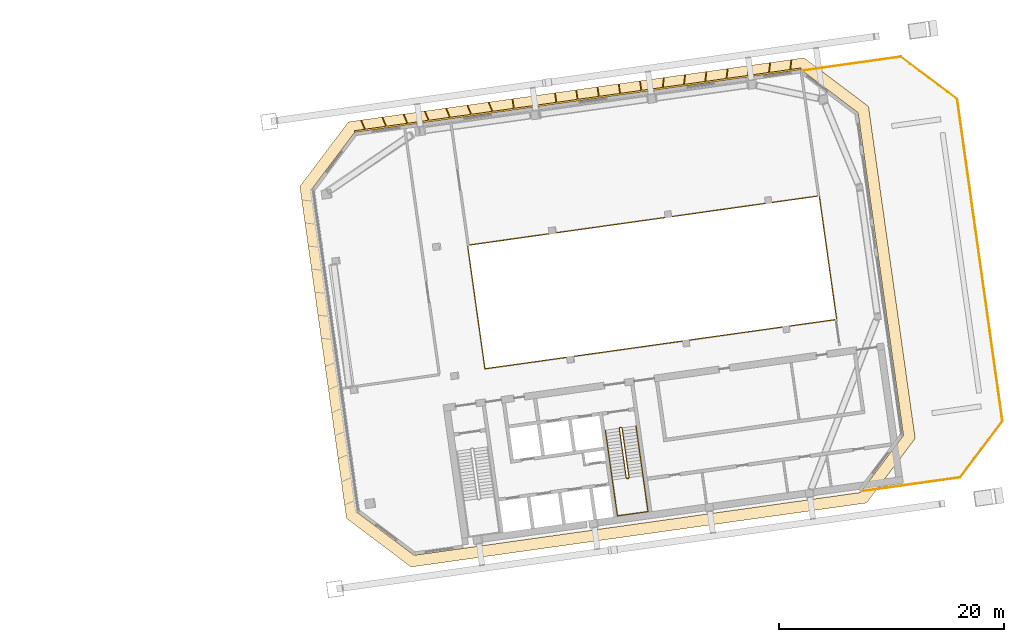
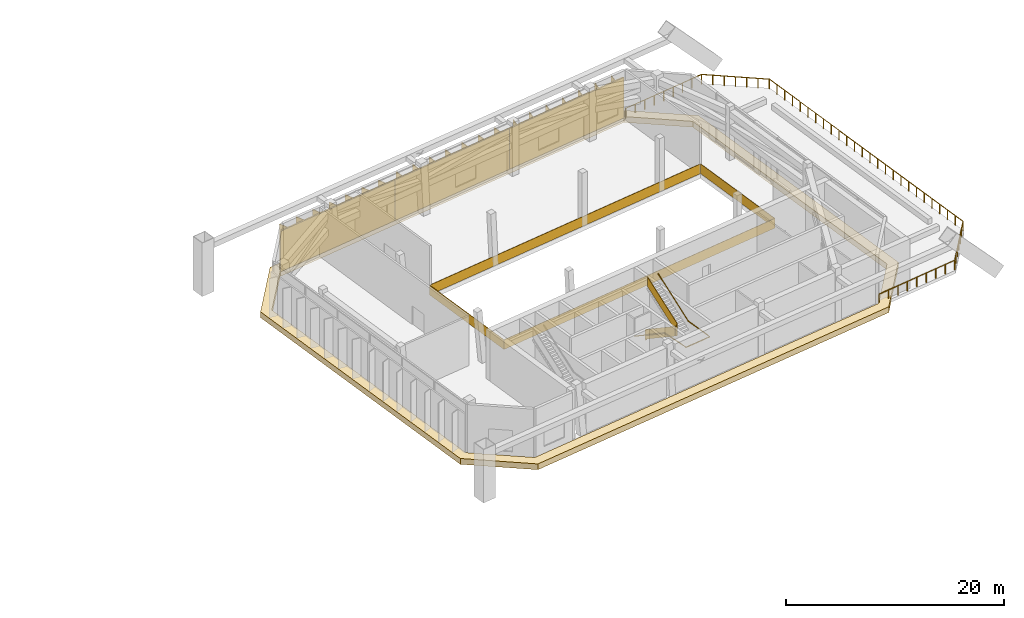
# One storey, part 29 of 29: 4 railings, 3 shading devices, 1 covering.
"""IFC4 building model written with IfcOpenShell, lengths in metres."""

import ifcopenshell
import ifcopenshell.guid

model = None  # the IFC model being written
_history = None  # IfcOwnerHistory: only IFC2X3 demands one
_inside = {}  # id of a spatial element -> (the spatial element, [elements in it])
_under = {}  # id of a project, library or spatial element -> (it, [spatial elements below it])
_declared = {}  # id of a project -> (the project, [libraries it declares])
_typed = {}  # id of a type object -> (the type object, [elements of that type])
_made_of = {}  # id of a material, layer set ... -> (it, [elements and type objects made of it])


def new_model(schema):
    """Start an empty IFC model of exactly this schema.

    Asked for "IFC4X3", IfcOpenShell would pick the latest addendum, in which some entities
    have other attributes; the version numbers below select the first issue.
    IFC2X3 requires an IfcOwnerHistory on every rooted entity: one is made here for all.
    """
    global model, _history
    if schema == "IFC4X3":
        model = ifcopenshell.file(schema_version=(4, 3, 0, 0))
    else:
        model = ifcopenshell.file(schema=schema)
    _inside.clear()
    _under.clear()
    _declared.clear()
    _typed.clear()
    _made_of.clear()
    _history = None
    if model.schema == "IFC2X3":
        org = make("IfcOrganization", Name="unknown")
        user = make(
            "IfcPersonAndOrganization",
            ThePerson=make("IfcPerson", FamilyName="unknown"),
            TheOrganization=org,
        )
        app = make(
            "IfcApplication",
            ApplicationDeveloper=org,
            Version="unknown",
            ApplicationFullName="unknown",
            ApplicationIdentifier="unknown",
        )
        _history = make(
            "IfcOwnerHistory",
            OwningUser=user,
            OwningApplication=app,
            ChangeAction="ADDED",
            CreationDate=0,
        )
    return model


def make(cls, **values):
    """One entity of the class cls with the attributes given. An attribute that is None is left unset."""
    return model.create_entity(
        cls, **{name: value for name, value in values.items() if value is not None}
    )


def rooted(cls, **values):
    """An entity with a GlobalId (a new one), such as an element, a storey or a relation."""
    return make(cls, GlobalId=ifcopenshell.guid.new(), OwnerHistory=_history, **values)


def si_unit(unit_type, name, prefix=None):
    """IfcSIUnit, for example si_unit("LENGTHUNIT", "METRE", prefix="MILLI")."""
    return make("IfcSIUnit", UnitType=unit_type, Prefix=prefix, Name=name)


def assignment(units):
    """IfcUnitAssignment: the units of a project."""
    return None if units is None else make("IfcUnitAssignment", Units=units)


def point(xyz):
    """IfcCartesianPoint."""
    return None if xyz is None else make("IfcCartesianPoint", Coordinates=xyz)


def direction(xyz):
    """IfcDirection."""
    return None if xyz is None else make("IfcDirection", DirectionRatios=xyz)


def frame(location, z_axis=None, x_axis=None):
    """IfcAxis2Placement3D, a coordinate frame: its origin and axes. An axis left out is left unset."""
    return make(
        "IfcAxis2Placement3D",
        Location=point(location),
        Axis=direction(z_axis),
        RefDirection=direction(x_axis),
    )


def frame_2d(location, x_axis=None):
    """IfcAxis2Placement2D, a coordinate frame in the plane: its origin and x axis."""
    return make(
        "IfcAxis2Placement2D", Location=point(location), RefDirection=direction(x_axis)
    )


def origin():
    """The frame at (0, 0, 0) with its axes left unset."""
    return frame((0.0, 0.0, 0.0))


def origin_2d():
    """The frame at (0, 0) in the plane with its x axis left unset."""
    return frame_2d((0.0, 0.0))


def place(relative_to, where):
    """IfcLocalPlacement: puts the frame where relative to a parent placement (None: the world)."""
    return make(
        "IfcLocalPlacement", PlacementRelTo=relative_to, RelativePlacement=where
    )


def context(
    kind, dimensions, precision=None, world=None, true_north=None, identifier=None
):
    """IfcGeometricRepresentationContext, for example the 3D "Model" context."""
    return make(
        "IfcGeometricRepresentationContext",
        ContextIdentifier=identifier,
        ContextType=kind,
        CoordinateSpaceDimension=dimensions,
        Precision=precision,
        WorldCoordinateSystem=world,
        TrueNorth=true_north,
    )


def subcontext(parent, identifier, kind, view, scale=None):
    """IfcGeometricRepresentationSubContext, for example "Body" below "Model"."""
    return make(
        "IfcGeometricRepresentationSubContext",
        ContextIdentifier=identifier,
        ContextType=kind,
        ParentContext=parent,
        TargetScale=scale,
        TargetView=view,
    )


def project(units=None, contexts=None):
    """IfcProject with its units and contexts."""
    return rooted(
        "IfcProject",
        Name="project",
        RepresentationContexts=contexts,
        UnitsInContext=assignment(units),
    )


def spatial(cls, under=None, at=None, **own):
    """A site, building, storey or space (cls), placed at a placement, below another one or the project."""
    s = rooted(cls, ObjectPlacement=at, **own)
    if under is not None:
        _under.setdefault(under.id(), (under, []))[1].append(s)
    return s


def polyline(points):
    """IfcPolyline through the points."""
    return make("IfcPolyline", Points=[point(p) for p in points])


def profile(cls, at=None, kind="AREA", **sizes):
    """A parametric profile (cls). Its sizes go by their IFC names, for example OverallWidth=200.0."""
    return make(cls, ProfileType=kind, Position=at, **sizes)


def rectangle(**sizes):
    """IfcRectangleProfileDef."""
    return profile("IfcRectangleProfileDef", **sizes)


def outline(outer, holes=None, kind="AREA"):
    """IfcArbitraryClosedProfileDef: a profile drawn as a closed curve; with holes, ...WithVoids."""
    if holes is None:
        return make("IfcArbitraryClosedProfileDef", ProfileType=kind, OuterCurve=outer)
    return make(
        "IfcArbitraryProfileDefWithVoids",
        ProfileType=kind,
        OuterCurve=outer,
        InnerCurves=holes,
    )


def extrude(swept, where, along, depth):
    """IfcExtrudedAreaSolid: the profile swept, set in the frame where, extruded along a direction by depth."""
    return make(
        "IfcExtrudedAreaSolid",
        SweptArea=swept,
        Position=where,
        ExtrudedDirection=direction(along),
        Depth=depth,
    )


def shape(context_of_items, identifier, shape_type, items):
    """IfcShapeRepresentation: the items that make up one representation, for example the "Body"."""
    return make(
        "IfcShapeRepresentation",
        ContextOfItems=context_of_items,
        RepresentationIdentifier=identifier,
        RepresentationType=shape_type,
        Items=items,
    )


def material(Name=None, Category=None):
    """IfcMaterial."""
    return make("IfcMaterial", Name=Name, Category=Category)


def layer(
    of_material, thickness, ventilated=None, Name=None, Category=None, Priority=None
):
    """IfcMaterialLayer: one layer of a wall or slab, of a material (None: an air gap)."""
    return make(
        "IfcMaterialLayer",
        Material=of_material,
        LayerThickness=thickness,
        IsVentilated=ventilated,
        Name=Name,
        Category=Category,
        Priority=Priority,
    )


def layer_set(layers, Name=None):
    """IfcMaterialLayerSet."""
    return make("IfcMaterialLayerSet", MaterialLayers=layers, LayerSetName=Name)


def made_of(thing, what):
    """Note that an element or type object is made of a material, layer set ...; save() writes the relation."""
    if what is not None:
        _made_of.setdefault(what.id(), (what, []))[1].append(thing)
    return thing


def type_object(cls, material=None, **own):
    """A type object (cls), such as IfcWallType, which elements share."""
    return made_of(rooted(cls, **own), material)


def element(
    cls,
    number,
    at=None,
    inside=None,
    cuts=None,
    type_object=None,
    material=None,
    context=None,
    identifier="Body",
    shape_type=None,
    held_by="IfcProductDefinitionShape",
    body=None,
    shapes=None,
    **own,
):
    """One element of the class cls, such as IfcWall. Its Tag is "e" and its number.

    at: its placement. inside: the storey or other place that contains it. cuts: it is an
    opening in that element (IfcRelVoidsElement). A single representation is given by context,
    identifier, shape_type and body (its items); several are given by shapes. held_by: the class
    of the entity that holds the representations. save() writes the other relations.
    """
    e = rooted(cls, Tag="e%d" % number, ObjectPlacement=at, **own)
    if body is not None:
        shapes = [shape(context, identifier, shape_type, body)]
    if shapes is not None:
        e.Representation = make(held_by, Representations=shapes)
    if inside is not None:
        _inside.setdefault(inside.id(), (inside, []))[1].append(e)
    if cuts is not None:
        rooted(
            "IfcRelVoidsElement", RelatingBuildingElement=cuts, RelatedOpeningElement=e
        )
    if type_object is not None:
        _typed.setdefault(type_object.id(), (type_object, []))[1].append(e)
    return made_of(e, material)


def aggregate(whole, parts):
    """IfcRelAggregates: a whole, such as a stair, and the parts it consists of."""
    return rooted("IfcRelAggregates", RelatingObject=whole, RelatedObjects=parts)


def save(model, path):
    """Write the relations noted so far, then the file.

    IfcRelAggregates (storeys below a building ...), IfcRelContainedInSpatialStructure (elements
    in a storey), IfcRelDefinesByType, IfcRelAssociatesMaterial and IfcRelDeclares: one each for
    every whole, place, type object, material and project.
    """
    for whole, parts in _under.values():
        aggregate(whole, parts)
    for where, things in _inside.values():
        rooted(
            "IfcRelContainedInSpatialStructure",
            RelatedElements=things,
            RelatingStructure=where,
        )
    for kind, things in _typed.values():
        rooted("IfcRelDefinesByType", RelatedObjects=things, RelatingType=kind)
    for what, things in _made_of.values():
        rooted("IfcRelAssociatesMaterial", RelatedObjects=things, RelatingMaterial=what)
    for by, libraries in _declared.values():
        rooted("IfcRelDeclares", RelatingContext=by, RelatedDefinitions=libraries)
    model.write(path)


model = new_model("IFC4")

# Units and contexts
model_context = context("Model", 3, precision=1e-05, world=origin(), true_north=direction((0.0, 1.0)))
body_context = subcontext(model_context, "Body", "Model", "MODEL_VIEW")
ifc_project = project(units=[si_unit("LENGTHUNIT", "METRE"), si_unit("AREAUNIT", "SQUARE_METRE"), si_unit("VOLUMEUNIT", "CUBIC_METRE"), si_unit("PLANEANGLEUNIT", "RADIAN"), si_unit("MASSUNIT", "GRAM", prefix="KILO")], contexts=[model_context])

# Site, building, storey
site_placement = place(None, origin())
site = spatial("IfcSite", under=ifc_project, at=site_placement, CompositionType="ELEMENT")
building_placement = place(site_placement, origin())
building = spatial("IfcBuilding", under=site, at=building_placement, Name="Mirante Cascada Hotel Towers", CompositionType="ELEMENT")
storey_placement = place(building_placement, frame((0.0, 0.0, 210.6)))
storey = spatial("IfcBuildingStorey", under=building, at=storey_placement, Name="L50", CompositionType="ELEMENT", Elevation=210.6)

# Covering
ifc_material_1 = material(Name="Precast concrete C40/50 white", Category="concrete")
ifc_layer = layer(ifc_material_1, 0.6)
ifc_layer_set = layer_set([ifc_layer], Name="Precast concrete SUNSHADE band 1000x600")
covering_type = type_object("IfcCoveringType", Name="Precast concrete SUNSHADE band 1000x600", PredefinedType="CLADDING", material=ifc_layer_set)
covering_placement = place(storey_placement, frame((0.0, 0.0, -0.5)))
element("IfcCovering", 1, at=covering_placement, inside=storey, type_object=covering_type, Name="Precast concrete SUNSHADE band T2 L50", PredefinedType="CLADDING", context=body_context, shape_type="SweptSolid", body=[
    extrude(outline(polyline([(22.8694, 12.0586), (27.1979, 17.8027), (67.7326, 23.4995), (73.4767, 19.171), (77.628, -10.3671), (73.2995, -16.1112), (32.7648, -21.808), (27.0207, -17.4795), (22.8694, 12.0586)]), holes=[polyline([(76.5801, -10.0961), (72.5441, 18.6217), (67.4616, 22.4516), (27.7472, 16.8701), (23.9173, 11.7876), (27.9533, -16.9301), (33.0358, -20.7601), (72.7501, -15.1786), (76.5801, -10.0961)])]), origin(), (0.0, 0.0, 1.0), 0.65),
])

# Railings
ifc_material_2 = material(Name="Toughened glass", Category="glass")
railing_type_1 = type_object("IfcRailingType", Name="Refuge floor atrium guard 1100 glass balustrade", PredefinedType="GUARDRAIL", material=ifc_material_2)
railing_1_placement = place(storey_placement, frame((39.343, -4.1708, 0.0)))
element("IfcRailing", 2, at=railing_1_placement, inside=storey, type_object=railing_type_1, Name="Atrium guard T2 L50", PredefinedType="GUARDRAIL", context=body_context, shape_type="SweptSolid", body=[
    extrude(rectangle(XDim=0.048, YDim=0.048, at=origin_2d()), frame((0.0, 0.0, 1.076), z_axis=(0.9902684, 0.1391708, 0.0), x_axis=(-0.1391708, 0.9902684, 0.0)), (0.0, 0.0, 1.0), 31.6),
    extrude(rectangle(XDim=0.02, YDim=1.052, at=origin_2d()), frame((0.0, 0.0, 0.526), z_axis=(0.9902684, 0.1391708, 0.0), x_axis=(-0.1391708, 0.9902684, 0.0)), (0.0, 0.0, 1.0), 31.6),
    extrude(rectangle(XDim=0.048, YDim=0.048, at=origin_2d()), frame((31.2925, 4.3978, 1.076), z_axis=(-0.1391709, 0.9902684, 0.0), x_axis=(-0.9902684, -0.1391709, 0.0)), (0.0, 0.0, 1.0), 11.1),
    extrude(rectangle(XDim=0.02, YDim=1.052, at=origin_2d()), frame((31.2925, 4.3978, 0.526), z_axis=(-0.1391709, 0.9902684, 0.0), x_axis=(-0.9902684, -0.1391709, 0.0)), (0.0, 0.0, 1.0), 11.1),
    extrude(rectangle(XDim=0.048, YDim=0.048, at=origin_2d()), frame((29.7477, 15.3898, 1.076), z_axis=(-0.990268, -0.1391739, 0.0), x_axis=(0.1391739, -0.990268, 0.0)), (0.0, 0.0, 1.0), 31.6),
    extrude(rectangle(XDim=0.02, YDim=1.052, at=origin_2d()), frame((29.7477, 15.3898, 0.526), z_axis=(-0.990268, -0.1391739, 0.0), x_axis=(0.1391739, -0.990268, 0.0)), (0.0, 0.0, 1.0), 31.6),
    extrude(rectangle(XDim=0.048, YDim=0.048, at=origin_2d()), frame((-1.5448, 10.9919, 1.076), z_axis=(0.1391721, -0.9902682, 0.0), x_axis=(0.9902682, 0.1391721, 0.0)), (0.0, 0.0, 1.0), 11.0999),
    extrude(rectangle(XDim=0.02, YDim=1.052, at=origin_2d()), frame((-1.5448, 10.9919, 0.526), z_axis=(0.1391721, -0.9902682, 0.0), x_axis=(0.9902682, 0.1391721, 0.0)), (0.0, 0.0, 1.0), 11.0999),
])
ifc_material_3 = material(Name="Painted steel", Category="steel")
railing_type_2 = type_object("IfcRailingType", Name="Stair guard 1100 steel balustrade", PredefinedType="GUARDRAIL", material=ifc_material_3)
railing_2_placement = place(storey_placement, frame((51.4864, -9.3815, 0.0)))
element("IfcRailing", 3, at=railing_2_placement, inside=storey, type_object=railing_type_2, Name="L50 ST2-B stair guard 1", PredefinedType="GUARDRAIL", context=body_context, shape_type="SweptSolid", body=[
    extrude(rectangle(XDim=0.048, YDim=0.048, at=origin_2d()), frame((0.0, 0.0, 1.076), z_axis=(-0.9902408, -0.1393672, 0.0), x_axis=(0.1393672, -0.9902408, 0.0)), (0.0, 0.0, 1.0), 0.15),
    extrude(rectangle(XDim=0.02, YDim=1.052, at=origin_2d()), frame((0.0, 0.0, 0.526), z_axis=(-0.9902408, -0.1393672, 0.0), x_axis=(0.1393672, -0.9902408, 0.0)), (0.0, 0.0, 1.0), 0.15),
    extrude(rectangle(XDim=0.048, YDim=0.048, at=origin_2d()), frame((-0.1485, -0.0209, 1.076), z_axis=(-0.6020331, -0.7984711, 0.0), x_axis=(0.7984711, -0.6020331, 0.0)), (0.0, 0.9281858, 0.372117), 0.1902),
    extrude(rectangle(XDim=0.02, YDim=1.052, at=origin_2d()), frame((-0.1485, -0.0209, 0.526), z_axis=(-0.6020331, -0.7984711, 0.0), x_axis=(0.7984711, -0.6020331, 0.0)), (0.0, 0.9281858, 0.372117), 0.1902),
    extrude(rectangle(XDim=0.048, YDim=0.048, at=origin_2d()), frame((-0.1911, -0.0774, 1.2525), z_axis=(0.1391741, -0.9902679, 0.0), x_axis=(0.9902679, 0.1391741, 0.0)), (0.0, 0.5331864, 0.8459978), 5.2955),
    extrude(rectangle(XDim=0.02, YDim=1.052, at=origin_2d()), frame((-0.1911, -0.0774, 0.7025), z_axis=(0.1391741, -0.9902679, 0.0), x_axis=(0.9902679, 0.1391741, 0.0)), (0.0, 0.5331864, 0.8459978), 5.2955),
    extrude(rectangle(XDim=0.048, YDim=0.048, at=origin_2d()), frame((0.4324, -4.5138, 4.076), z_axis=(0.9944948, -0.1047858, 0.0), x_axis=(0.1047858, 0.9944948, 0.0)), (0.0, 0.0, 1.0), 0.2061),
    extrude(rectangle(XDim=0.02, YDim=1.052, at=origin_2d()), frame((0.4324, -4.5138, 3.526), z_axis=(0.9944948, -0.1047858, 0.0), x_axis=(0.1047858, 0.9944948, 0.0)), (0.0, 0.0, 1.0), 0.2061),
    extrude(rectangle(XDim=0.048, YDim=0.048, at=origin_2d()), frame((0.6374, -4.5354, 4.076), z_axis=(-0.9902408, -0.1393672, 0.0), x_axis=(0.1393672, -0.9902408, 0.0)), (0.0, 0.0, 1.0), 0.15),
    extrude(rectangle(XDim=0.02, YDim=1.052, at=origin_2d()), frame((0.6374, -4.5354, 3.526), z_axis=(-0.9902408, -0.1393672, 0.0), x_axis=(0.1393672, -0.9902408, 0.0)), (0.0, 0.0, 1.0), 0.15),
    extrude(rectangle(XDim=0.048, YDim=0.048, at=origin_2d()), frame((0.4889, -4.5563, 4.076), z_axis=(0.9270311, 0.3749843, 0.0), x_axis=(-0.3749843, 0.9270311, 0.0)), (0.0, 0.6503811, 0.7596081), 0.2714),
    extrude(rectangle(XDim=0.02, YDim=1.052, at=origin_2d()), frame((0.4889, -4.5563, 3.526), z_axis=(0.9270311, 0.3749843, 0.0), x_axis=(-0.3749843, 0.9270311, 0.0)), (0.0, 0.6503811, 0.7596081), 0.2714),
    extrude(rectangle(XDim=0.048, YDim=0.048, at=origin_2d()), frame((0.68, -4.479, 4.2525), z_axis=(-0.1391741, 0.9902679, 0.0), x_axis=(-0.9902679, -0.1391741, 0.0)), (0.0, 0.5331864, 0.8459978), 5.2955),
    extrude(rectangle(XDim=0.02, YDim=1.052, at=origin_2d()), frame((0.68, -4.479, 3.7025), z_axis=(-0.1391741, 0.9902679, 0.0), x_axis=(-0.9902679, -0.1391741, 0.0)), (0.0, 0.5331864, 0.8459978), 5.2955),
])
ifc_material_4 = material(Name="Painted steel", Category="steel")
railing_type_3 = type_object("IfcRailingType", Name="Stair handrail 900 steel tube", PredefinedType="HANDRAIL", material=ifc_material_4)
railing_3_placement = place(storey_placement, frame((50.0575, -9.6328, 0.1765)))
element("IfcRailing", 4, at=railing_3_placement, inside=storey, type_object=railing_type_3, Name="L50 ST2-B stair handrail 1", PredefinedType="HANDRAIL", context=body_context, shape_type="SweptSolid", body=[
    extrude(rectangle(XDim=0.048, YDim=0.048, at=origin_2d()), frame((0.0, 0.0, 0.876), z_axis=(0.1391741, -0.9902679, 0.0), x_axis=(0.9902679, 0.1391741, 0.0)), (0.0, 0.5331864, 0.8459978), 5.2955),
    extrude(rectangle(XDim=0.048, YDim=0.048, at=origin_2d()), frame((0.6234, -4.4354, 3.6994), z_axis=(0.1391601, -0.9902699, 0.0), x_axis=(0.9902699, 0.1391601, 0.0)), (0.0, 0.054731, 0.9985011), 3.2259),
    extrude(rectangle(XDim=0.048, YDim=0.048, at=origin_2d()), frame((1.0716, -7.6251, 3.876), z_axis=(0.9902698, 0.1391607, 0.0), x_axis=(-0.1391607, 0.9902698, 0.0)), (0.0, 0.0, 1.0), 2.7501),
    extrude(rectangle(XDim=0.048, YDim=0.048, at=origin_2d()), frame((3.7949, -7.2424, 3.876), z_axis=(-0.1391906, 0.9902656, 0.0), x_axis=(-0.9902656, -0.1391906, 0.0)), (0.0, 0.0, 1.0), 3.22),
    extrude(rectangle(XDim=0.048, YDim=0.048, at=origin_2d()), frame((3.3468, -4.0545, 3.8755), z_axis=(-0.1391741, 0.9902679, 0.0), x_axis=(-0.9902679, -0.1391741, 0.0)), (0.0, 0.5331864, 0.8459978), 5.2965),
])
ifc_material_5 = material(Name="Stainless steel AISI 316", Category="steel")
railing_type_4 = type_object("IfcRailingType", Name="Terrace guard 1100", PredefinedType="GUARDRAIL", material=ifc_material_5)
railing_4_placement = place(storey_placement, frame((67.6025, 22.3704, 0.0)))
element("IfcRailing", 5, at=railing_4_placement, inside=storey, type_object=railing_type_4, Name="GUARD T2 L50 terrace 1", PredefinedType="GUARDRAIL", context=body_context, shape_type="SweptSolid", body=[
    extrude(outline(polyline([(0.025, 0.0104), (0.0104, 0.025), (-0.0104, 0.025), (-0.025, 0.0104), (-0.025, -0.0104), (-0.0104, -0.025), (0.0104, -0.025), (0.025, -0.0104), (0.025, 0.0104)])), frame((0.0, 0.0, 1.075), z_axis=(0.9902672, 0.1391792, 0.0), x_axis=(-0.1391792, 0.9902672, 0.0)), (0.0, 0.0, 1.0), 8.8303),
    extrude(outline(polyline([(0.025, 0.0104), (0.0104, 0.025), (-0.0104, 0.025), (-0.025, 0.0104), (-0.025, -0.0104), (-0.0104, -0.025), (0.0104, -0.025), (0.025, -0.0104), (0.025, 0.0104)])), frame((8.7444, 1.229, 1.075), z_axis=(0.7986319, -0.6018198, 0.0), x_axis=(0.6018198, 0.7986319, 0.0)), (0.0, 0.0, 1.0), 6.2811),
    extrude(outline(polyline([(0.025, 0.0104), (0.0104, 0.025), (-0.0104, 0.025), (-0.025, 0.0104), (-0.025, -0.0104), (-0.0104, -0.025), (0.0104, -0.025), (0.025, -0.0104), (0.025, 0.0104)])), frame((13.7607, -2.5511, 1.075), z_axis=(0.1391736, -0.990268, 0.0), x_axis=(0.990268, 0.1391736, 0.0)), (0.0, 0.0, 1.0), 28.9171),
    extrude(outline(polyline([(0.025, 0.0104), (0.0104, 0.025), (-0.0104, 0.025), (-0.025, 0.0104), (-0.025, -0.0104), (-0.0104, -0.025), (0.0104, -0.025), (0.025, -0.0104), (0.025, 0.0104)])), frame((17.7852, -31.1868, 1.075), z_axis=(-0.6018121, -0.7986377, 0.0), x_axis=(0.7986377, -0.6018121, 0.0)), (0.0, 0.0, 1.0), 6.2812),
    extrude(outline(polyline([(0.025, 0.0104), (0.0104, 0.025), (-0.0104, 0.025), (-0.025, 0.0104), (-0.025, -0.0104), (-0.0104, -0.025), (0.0104, -0.025), (0.025, -0.0104), (0.025, 0.0104)])), frame((14.0051, -36.2032, 1.075), z_axis=(-0.9902686, -0.1391696, 0.0), x_axis=(0.1391696, -0.9902686, 0.0)), (0.0, 0.0, 1.0), 8.8302),
    extrude(rectangle(XDim=0.05, YDim=0.05, at=origin_2d()), origin(), (0.0, 0.0, 1.0), 1.05),
    extrude(rectangle(XDim=0.05, YDim=0.05, at=origin_2d()), frame((1.093, 0.1536, 0.0)), (0.0, 0.0, 1.0), 1.05),
    extrude(rectangle(XDim=0.05, YDim=0.05, at=origin_2d()), frame((2.1861, 0.3072, 0.0)), (0.0, 0.0, 1.0), 1.05),
    extrude(rectangle(XDim=0.05, YDim=0.05, at=origin_2d()), frame((3.2791, 0.4609, 0.0)), (0.0, 0.0, 1.0), 1.05),
    extrude(rectangle(XDim=0.05, YDim=0.05, at=origin_2d()), frame((4.3722, 0.6145, 0.0)), (0.0, 0.0, 1.0), 1.05),
    extrude(rectangle(XDim=0.05, YDim=0.05, at=origin_2d()), frame((5.4652, 0.7681, 0.0)), (0.0, 0.0, 1.0), 1.05),
    extrude(rectangle(XDim=0.05, YDim=0.05, at=origin_2d()), frame((6.5583, 0.9217, 0.0)), (0.0, 0.0, 1.0), 1.05),
    extrude(rectangle(XDim=0.05, YDim=0.05, at=origin_2d()), frame((7.6513, 1.0754, 0.0)), (0.0, 0.0, 1.0), 1.05),
    extrude(rectangle(XDim=0.05, YDim=0.05, at=origin_2d()), frame((8.7444, 1.229, 0.0)), (0.0, 0.0, 1.0), 1.05),
    extrude(rectangle(XDim=0.05, YDim=0.05, at=origin_2d()), frame((9.5804, 0.599, 0.0)), (0.0, 0.0, 1.0), 1.05),
    extrude(rectangle(XDim=0.05, YDim=0.05, at=origin_2d()), frame((10.4165, -0.031, 0.0)), (0.0, 0.0, 1.0), 1.05),
    extrude(rectangle(XDim=0.05, YDim=0.05, at=origin_2d()), frame((11.2526, -0.6611, 0.0)), (0.0, 0.0, 1.0), 1.05),
    extrude(rectangle(XDim=0.05, YDim=0.05, at=origin_2d()), frame((12.0886, -1.2911, 0.0)), (0.0, 0.0, 1.0), 1.05),
    extrude(rectangle(XDim=0.05, YDim=0.05, at=origin_2d()), frame((12.9246, -1.9211, 0.0)), (0.0, 0.0, 1.0), 1.05),
    extrude(rectangle(XDim=0.05, YDim=0.05, at=origin_2d()), frame((13.7607, -2.5511, 0.0)), (0.0, 0.0, 1.0), 1.05),
    extrude(rectangle(XDim=0.05, YDim=0.05, at=origin_2d()), frame((13.9217, -3.6965, 0.0)), (0.0, 0.0, 1.0), 1.05),
    extrude(rectangle(XDim=0.05, YDim=0.05, at=origin_2d()), frame((14.0827, -4.842, 0.0)), (0.0, 0.0, 1.0), 1.05),
    extrude(rectangle(XDim=0.05, YDim=0.05, at=origin_2d()), frame((14.2436, -5.9874, 0.0)), (0.0, 0.0, 1.0), 1.05),
    extrude(rectangle(XDim=0.05, YDim=0.05, at=origin_2d()), frame((14.4046, -7.1328, 0.0)), (0.0, 0.0, 1.0), 1.05),
    extrude(rectangle(XDim=0.05, YDim=0.05, at=origin_2d()), frame((14.5656, -8.2782, 0.0)), (0.0, 0.0, 1.0), 1.05),
    extrude(rectangle(XDim=0.05, YDim=0.05, at=origin_2d()), frame((14.7266, -9.4237, 0.0)), (0.0, 0.0, 1.0), 1.05),
    extrude(rectangle(XDim=0.05, YDim=0.05, at=origin_2d()), frame((14.8876, -10.5691, 0.0)), (0.0, 0.0, 1.0), 1.05),
    extrude(rectangle(XDim=0.05, YDim=0.05, at=origin_2d()), frame((15.0485, -11.7145, 0.0)), (0.0, 0.0, 1.0), 1.05),
    extrude(rectangle(XDim=0.05, YDim=0.05, at=origin_2d()), frame((15.2095, -12.86, 0.0)), (0.0, 0.0, 1.0), 1.05),
    extrude(rectangle(XDim=0.05, YDim=0.05, at=origin_2d()), frame((15.3705, -14.0054, 0.0)), (0.0, 0.0, 1.0), 1.05),
    extrude(rectangle(XDim=0.05, YDim=0.05, at=origin_2d()), frame((15.5315, -15.1508, 0.0)), (0.0, 0.0, 1.0), 1.05),
    extrude(rectangle(XDim=0.05, YDim=0.05, at=origin_2d()), frame((15.6925, -16.2962, 0.0)), (0.0, 0.0, 1.0), 1.05),
    extrude(rectangle(XDim=0.05, YDim=0.05, at=origin_2d()), frame((15.8534, -17.4417, 0.0)), (0.0, 0.0, 1.0), 1.05),
    extrude(rectangle(XDim=0.05, YDim=0.05, at=origin_2d()), frame((16.0144, -18.5871, 0.0)), (0.0, 0.0, 1.0), 1.05),
    extrude(rectangle(XDim=0.05, YDim=0.05, at=origin_2d()), frame((16.1754, -19.7325, 0.0)), (0.0, 0.0, 1.0), 1.05),
    extrude(rectangle(XDim=0.05, YDim=0.05, at=origin_2d()), frame((16.3364, -20.8779, 0.0)), (0.0, 0.0, 1.0), 1.05),
    extrude(rectangle(XDim=0.05, YDim=0.05, at=origin_2d()), frame((16.4974, -22.0234, 0.0)), (0.0, 0.0, 1.0), 1.05),
    extrude(rectangle(XDim=0.05, YDim=0.05, at=origin_2d()), frame((16.6583, -23.1688, 0.0)), (0.0, 0.0, 1.0), 1.05),
    extrude(rectangle(XDim=0.05, YDim=0.05, at=origin_2d()), frame((16.8193, -24.3142, 0.0)), (0.0, 0.0, 1.0), 1.05),
    extrude(rectangle(XDim=0.05, YDim=0.05, at=origin_2d()), frame((16.9803, -25.4597, 0.0)), (0.0, 0.0, 1.0), 1.05),
    extrude(rectangle(XDim=0.05, YDim=0.05, at=origin_2d()), frame((17.1413, -26.6051, 0.0)), (0.0, 0.0, 1.0), 1.05),
    extrude(rectangle(XDim=0.05, YDim=0.05, at=origin_2d()), frame((17.3023, -27.7505, 0.0)), (0.0, 0.0, 1.0), 1.05),
    extrude(rectangle(XDim=0.05, YDim=0.05, at=origin_2d()), frame((17.4632, -28.8959, 0.0)), (0.0, 0.0, 1.0), 1.05),
    extrude(rectangle(XDim=0.05, YDim=0.05, at=origin_2d()), frame((17.6242, -30.0414, 0.0)), (0.0, 0.0, 1.0), 1.05),
    extrude(rectangle(XDim=0.05, YDim=0.05, at=origin_2d()), frame((17.7852, -31.1868, 0.0)), (0.0, 0.0, 1.0), 1.05),
    extrude(rectangle(XDim=0.05, YDim=0.05, at=origin_2d()), frame((17.1552, -32.0229, 0.0)), (0.0, 0.0, 1.0), 1.05),
    extrude(rectangle(XDim=0.05, YDim=0.05, at=origin_2d()), frame((16.5252, -32.8589, 0.0)), (0.0, 0.0, 1.0), 1.05),
    extrude(rectangle(XDim=0.05, YDim=0.05, at=origin_2d()), frame((15.8951, -33.695, 0.0)), (0.0, 0.0, 1.0), 1.05),
    extrude(rectangle(XDim=0.05, YDim=0.05, at=origin_2d()), frame((15.2651, -34.5311, 0.0)), (0.0, 0.0, 1.0), 1.05),
    extrude(rectangle(XDim=0.05, YDim=0.05, at=origin_2d()), frame((14.6351, -35.3671, 0.0)), (0.0, 0.0, 1.0), 1.05),
    extrude(rectangle(XDim=0.05, YDim=0.05, at=origin_2d()), frame((14.0051, -36.2032, 0.0)), (0.0, 0.0, 1.0), 1.05),
    extrude(rectangle(XDim=0.05, YDim=0.05, at=origin_2d()), frame((12.9121, -36.3568, 0.0)), (0.0, 0.0, 1.0), 1.05),
    extrude(rectangle(XDim=0.05, YDim=0.05, at=origin_2d()), frame((11.819, -36.5104, 0.0)), (0.0, 0.0, 1.0), 1.05),
    extrude(rectangle(XDim=0.05, YDim=0.05, at=origin_2d()), frame((10.726, -36.664, 0.0)), (0.0, 0.0, 1.0), 1.05),
    extrude(rectangle(XDim=0.05, YDim=0.05, at=origin_2d()), frame((9.6329, -36.8176, 0.0)), (0.0, 0.0, 1.0), 1.05),
    extrude(rectangle(XDim=0.05, YDim=0.05, at=origin_2d()), frame((8.5399, -36.9713, 0.0)), (0.0, 0.0, 1.0), 1.05),
    extrude(rectangle(XDim=0.05, YDim=0.05, at=origin_2d()), frame((7.4469, -37.1249, 0.0)), (0.0, 0.0, 1.0), 1.05),
    extrude(rectangle(XDim=0.05, YDim=0.05, at=origin_2d()), frame((6.3538, -37.2785, 0.0)), (0.0, 0.0, 1.0), 1.05),
    extrude(rectangle(XDim=0.05, YDim=0.05, at=origin_2d()), frame((5.2608, -37.4321, 0.0)), (0.0, 0.0, 1.0), 1.05),
])

# Shading devices
ifc_material_6 = material(Name="White precast concrete C50/60 fin", Category="concrete")
shading_device_type = type_object("IfcShadingDeviceType", Name="Vertical fin set 4500x900", PredefinedType="USERDEFINED", material=ifc_material_6)
shading_device_1_placement = place(storey_placement, origin())
element("IfcShadingDevice", 6, at=shading_device_1_placement, inside=storey, type_object=shading_device_type, Name="FIN T2 L50 front 1", ObjectType="FIN", PredefinedType="USERDEFINED", context=body_context, shape_type="SweptSolid", body=[
    extrude(outline(polyline([(55.3045, 21.7114), (55.2024, 20.8802), (57.0116, 21.1344), (57.1163, 21.987), (57.1957, 21.9772), (57.0936, 21.146), (58.9027, 21.4002), (59.0074, 22.2528), (59.0868, 22.243), (58.9848, 21.4117), (60.7939, 21.666), (60.8986, 22.5185), (60.978, 22.5088), (60.8759, 21.6775), (62.6851, 21.9318), (62.7897, 22.7843), (62.8691, 22.7746), (62.7671, 21.9433), (64.5762, 22.1976), (64.6809, 23.0501), (64.7603, 23.0404), (64.6582, 22.2091), (66.4674, 22.4634), (66.5721, 23.3159), (66.6515, 23.3062), (66.5494, 22.4749), (67.4407, 22.6001), (67.4616, 22.4516), (54.2235, 20.5911), (54.2026, 20.7396), (55.1204, 20.8686), (55.2251, 21.7212), (55.3045, 21.7114)])), origin(), (0.0, 0.0, 1.0), 4.55),
])
shading_device_2_placement = place(storey_placement, origin())
element("IfcShadingDevice", 7, at=shading_device_2_placement, inside=storey, type_object=shading_device_type, Name="FIN T2 L50 front 2", ObjectType="FIN", PredefinedType="USERDEFINED", context=body_context, shape_type="SweptSolid", body=[
    extrude(outline(polyline([(41.8314, 19.8593), (41.9497, 19.0176), (43.7616, 19.2723), (43.6433, 20.114), (43.7225, 20.1251), (43.8408, 19.2834), (45.6528, 19.538), (45.5345, 20.3798), (45.6137, 20.3909), (45.732, 19.5492), (47.5439, 19.8038), (47.4256, 20.6456), (47.5048, 20.6567), (47.6231, 19.815), (49.4351, 20.0696), (49.3168, 20.9113), (49.396, 20.9225), (49.5143, 20.0808), (51.3262, 20.3354), (51.2079, 21.1771), (51.2872, 21.1883), (51.4055, 20.3465), (53.2174, 20.6012), (53.0991, 21.4429), (53.1783, 21.4541), (53.2966, 20.6123), (54.2026, 20.7396), (54.2235, 20.5911), (40.9853, 18.7306), (40.9645, 18.8792), (41.8704, 19.0065), (41.7521, 19.8482), (41.8314, 19.8593)])), origin(), (0.0, 0.0, 1.0), 4.55),
])
shading_device_3_placement = place(storey_placement, origin())
element("IfcShadingDevice", 8, at=shading_device_3_placement, inside=storey, type_object=shading_device_type, Name="FIN T2 L50 front 3", ObjectType="FIN", PredefinedType="USERDEFINED", context=body_context, shape_type="SweptSolid", body=[
    extrude(outline(polyline([(28.3641, 17.9461), (28.6997, 17.1554), (30.5088, 17.4097), (30.1816, 18.1806), (30.2552, 18.2119), (30.5908, 17.4212), (32.4, 17.6755), (32.0727, 18.4464), (32.1464, 18.4777), (32.482, 17.687), (34.2911, 17.9413), (33.9639, 18.7122), (34.0375, 18.7435), (34.3732, 17.9528), (36.1823, 18.2071), (35.8551, 18.978), (35.9287, 19.0093), (36.2643, 18.2186), (38.0735, 18.4728), (37.7462, 19.2438), (37.8199, 19.275), (38.1555, 18.4844), (39.9646, 18.7386), (39.6374, 19.5096), (39.711, 19.5408), (40.0466, 18.7502), (40.9645, 18.8792), (40.9853, 18.7306), (27.7472, 16.8701), (27.7264, 17.0187), (28.6177, 17.1439), (28.2904, 17.9149), (28.3641, 17.9461)])), origin(), (0.0, 0.0, 1.0), 4.55),
])

save(model, "model.ifc")
